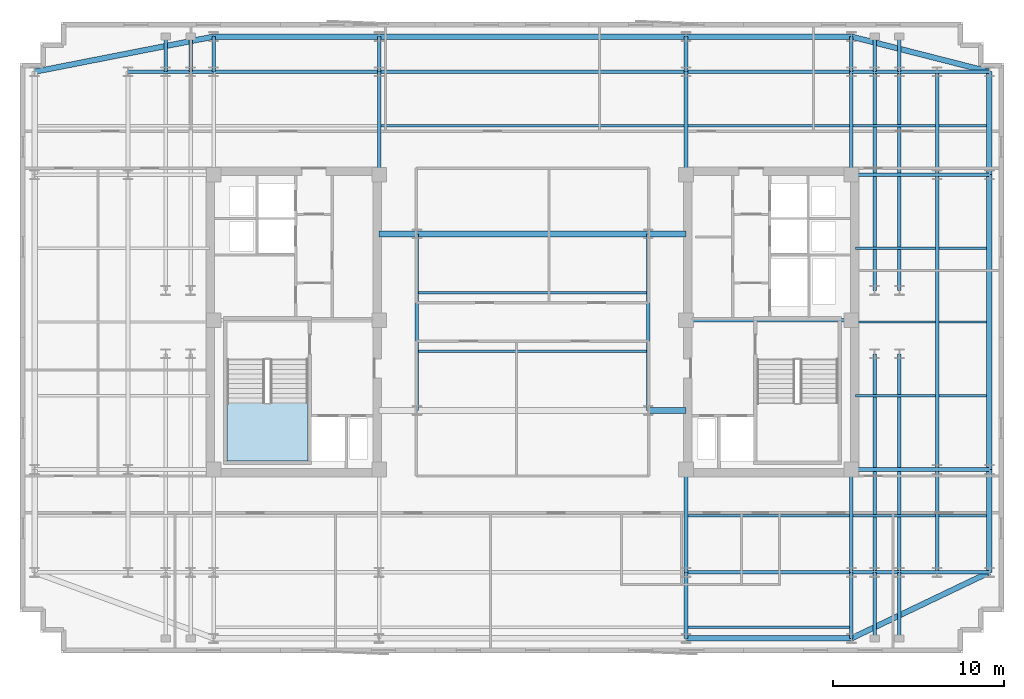
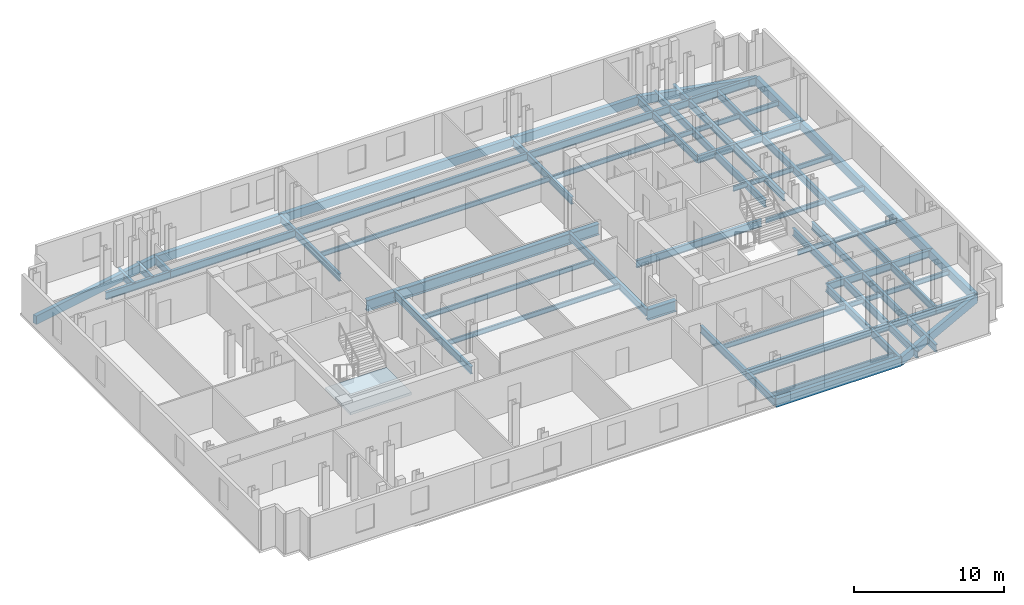
# One storey, part 2 of 9: 70 beams, 1 slab, 1 element without a shape of its own.
"""IFC4 building model written with IfcOpenShell, lengths in metres."""

from ifc_helpers import new_model, si_unit, direction, frame, origin, origin_2d, place, context, subcontext, project, spatial, polyline, rectangle, i_section, outline, extrude, material, layer, layer_set, material_profile, profile_set, type_object, element, aggregate, save


model = new_model("IFC4")

# Units and contexts
model_context = context("Model", 3, precision=1e-05, world=origin(), true_north=direction((0.0, 1.0)))
body_context = subcontext(model_context, "Body", "Model", "MODEL_VIEW")
ifc_project = project(units=[si_unit("LENGTHUNIT", "METRE"), si_unit("AREAUNIT", "SQUARE_METRE"), si_unit("VOLUMEUNIT", "CUBIC_METRE"), si_unit("PLANEANGLEUNIT", "RADIAN"), si_unit("MASSUNIT", "GRAM", prefix="KILO")], contexts=[model_context])

# Site, building, storey
site_placement = place(None, origin())
site = spatial("IfcSite", under=ifc_project, at=site_placement, CompositionType="ELEMENT")
building_placement = place(site_placement, origin())
building = spatial("IfcBuilding", under=site, at=building_placement, Name="Velakula Bourse", CompositionType="ELEMENT")
storey_placement = place(building_placement, frame((0.0, 0.0, 222.300048828125)))
storey = spatial("IfcBuildingStorey", under=building, at=storey_placement, Name="L60", CompositionType="ELEMENT", Elevation=222.300048828125)

# Beams
ifc_material_1 = material(Name="Steel IS 2062 Grade 350 (E350)", Category="steel")
ifc_material_profile_1 = material_profile(ifc_material_1, i_section(OverallWidth=0.2099609375, OverallDepth=0.60009765625, WebThickness=0.011962890625, FlangeThickness=0.020751953125, at=origin_2d()), Name="Steel IS 2062 Grade 350 (E350)")
ifc_profile_set_1 = profile_set([ifc_material_profile_1], Name="Steel IS 2062 Grade 350 (E350)")
beam_type_1 = type_object("IfcBeamType", Name="BM-GRD-600L", PredefinedType="BEAM", material=ifc_profile_set_1)
beam_1_placement = place(storey_placement, frame((8.949951171875, 0.10009765625, -0.47998046875), z_axis=(1.0, 0.0, 0.0), x_axis=(0.0, 1.0, 0.0)))
element("IfcBeam", 1, at=beam_1_placement, inside=storey, type_object=beam_type_1, Name="L60 Primary Backbone Girder CRE-M", PredefinedType="BEAM", context=body_context, shape_type="SweptSolid", body=[
    extrude(i_section(OverallWidth=0.2099609375, OverallDepth=0.60009765625, WebThickness=0.011962890625, FlangeThickness=0.020751953125, at=origin_2d()), origin(), (0.0, 0.0, 1.0), 9.650146484375),
])
for number, where, z_axis, x_axis, name in (
    (2, (-6.75, -5.14990234375, -0.47998046875), (0.0, 1.0, 0.0), (-1.0, 0.0, 0.0), "L60 Primary Backbone Girder SPN-W"),
    (3, (6.75, -5.14990234375, -0.47998046875), (0.0, 1.0, 0.0), (-1.0, 0.0, 0.0), "L60 Primary Backbone Girder SPN-E"),
):
    element("IfcBeam", number, at=place(storey_placement, frame(where, z_axis=z_axis, x_axis=x_axis)), inside=storey, type_object=beam_type_1, Name=name, PredefinedType="BEAM", context=body_context, shape_type="SweptSolid", body=[
        extrude(i_section(OverallWidth=0.2099609375, OverallDepth=0.60009765625, WebThickness=0.011962890625, FlangeThickness=0.020751953125, at=origin_2d()), origin(), (0.0, 0.0, 1.0), 10.2998046875),
    ])
for number, where, z_axis, x_axis, name in (
    (4, (-8.949951171875, 8.60009765625, -0.47998046875), (0.0, 1.0, 0.0), (-1.0, 0.0, 0.0), "L60 Fulcrum Grid Girder FLC-WCN"),
    (5, (8.949951171875, -14.60009765625, -0.47998046875), (0.0, 1.0, 0.0), (-1.0, 0.0, 0.0), "L60 Fulcrum Grid Girder FLC-ECS"),
    (6, (8.949951171875, 8.60009765625, -0.47998046875), (0.0, 1.0, 0.0), (-1.0, 0.0, 0.0), "L60 Fulcrum Grid Girder FLC-ECN"),
    (7, (18.60009765625, -14.60009765625, -0.47998046875), (0.0, 1.0, 0.0), (-1.0, 0.0, 0.0), "L60 Fulcrum Grid Girder FLC-ES"),
    (8, (18.60009765625, 8.60009765625, -0.47998046875), (0.0, 1.0, 0.0), (-1.0, 0.0, 0.0), "L60 Fulcrum Grid Girder FLC-EN"),
):
    element("IfcBeam", number, at=place(storey_placement, frame(where, z_axis=z_axis, x_axis=x_axis)), inside=storey, type_object=beam_type_1, Name=name, PredefinedType="BEAM", context=body_context, shape_type="SweptSolid", body=[
        extrude(i_section(OverallWidth=0.2099609375, OverallDepth=0.60009765625, WebThickness=0.011962890625, FlangeThickness=0.020751953125, at=origin_2d()), origin(), (0.0, 0.0, 1.0), 6.0),
    ])
for number, where, z_axis, x_axis, name in (
    (9, (8.949951171875, -14.60009765625, -0.47998046875), (1.0, 0.0, 0.0), (0.0, 1.0, 0.0), "L60 Fulcrum Grid Girder FLC-S3"),
    (10, (-18.60009765625, 14.60009765625, -0.47998046875), (1.0, 0.0, 0.0), (0.0, 1.0, 0.0), "L60 Fulcrum Grid Girder FLC-N1"),
):
    element("IfcBeam", number, at=place(storey_placement, frame(where, z_axis=z_axis, x_axis=x_axis)), inside=storey, type_object=beam_type_1, Name=name, PredefinedType="BEAM", context=body_context, shape_type="SweptSolid", body=[
        extrude(i_section(OverallWidth=0.2099609375, OverallDepth=0.60009765625, WebThickness=0.011962890625, FlangeThickness=0.020751953125, at=origin_2d()), origin(), (0.0, 0.0, 1.0), 9.650146484375),
    ])
beam_2_placement = place(storey_placement, frame((-8.949951171875, 14.60009765625, -0.47998046875), z_axis=(1.0, 0.0, 0.0), x_axis=(0.0, 1.0, 0.0)))
element("IfcBeam", 11, at=beam_2_placement, inside=storey, type_object=beam_type_1, Name="L60 Fulcrum Grid Girder FLC-N2", PredefinedType="BEAM", context=body_context, shape_type="SweptSolid", body=[
    extrude(i_section(OverallWidth=0.2099609375, OverallDepth=0.60009765625, WebThickness=0.011962890625, FlangeThickness=0.020751953125, at=origin_2d()), origin(), (0.0, 0.0, 1.0), 17.89990234375),
])
beam_3_placement = place(storey_placement, frame((8.949951171875, 14.60009765625, -0.47998046875), z_axis=(1.0, 0.0, 0.0), x_axis=(0.0, 1.0, 0.0)))
element("IfcBeam", 12, at=beam_3_placement, inside=storey, type_object=beam_type_1, Name="L60 Fulcrum Grid Girder FLC-N3", PredefinedType="BEAM", context=body_context, shape_type="SweptSolid", body=[
    extrude(i_section(OverallWidth=0.2099609375, OverallDepth=0.60009765625, WebThickness=0.011962890625, FlangeThickness=0.020751953125, at=origin_2d()), origin(), (0.0, 0.0, 1.0), 9.650146484375),
])
for number, where, z_axis, x_axis, name in (
    (13, (19.949951171875, -14.60009765625, -0.47998046875), (0.0, 1.0, 0.0), (-1.0, 0.0, 0.0), "L60 Fulcrum Grid Girder FLC-PSE1"),
    (14, (19.949951171875, 1.85009765625, -0.47998046875), (0.0, 1.0, 0.0), (-1.0, 0.0, 0.0), "L60 Fulcrum Grid Girder FLC-PNE1"),
    (15, (21.39990234375, -14.60009765625, -0.47998046875), (0.0, 1.0, 0.0), (-1.0, 0.0, 0.0), "L60 Fulcrum Grid Girder FLC-PSE2"),
    (16, (21.39990234375, 1.85009765625, -0.47998046875), (0.0, 1.0, 0.0), (-1.0, 0.0, 0.0), "L60 Fulcrum Grid Girder FLC-PNE2"),
):
    element("IfcBeam", number, at=place(storey_placement, frame(where, z_axis=z_axis, x_axis=x_axis)), inside=storey, type_object=beam_type_1, Name=name, PredefinedType="BEAM", context=body_context, shape_type="SweptSolid", body=[
        extrude(i_section(OverallWidth=0.2099609375, OverallDepth=0.60009765625, WebThickness=0.011962890625, FlangeThickness=0.020751953125, at=origin_2d()), origin(), (0.0, 0.0, 1.0), 12.75),
    ])
for number, where, z_axis, x_axis, name in (
    (17, (-23.60009765625, 14.60009765625, -0.47998046875), (1.0, 0.0, 0.0), (0.0, 1.0, 0.0), "L60 Fulcrum Grid Girder MWG-WN2"),
    (18, (18.60009765625, -14.60009765625, -0.47998046875), (1.0, 0.0, 0.0), (0.0, 1.0, 0.0), "L60 Fulcrum Grid Girder MWG-ES1"),
    (19, (18.60009765625, -8.60009765625, -0.47998046875), (1.0, 0.0, 0.0), (0.0, 1.0, 0.0), "L60 Fulcrum Grid Girder MWG-ES2"),
    (20, (18.60009765625, 8.60009765625, -0.47998046875), (1.0, 0.0, 0.0), (0.0, 1.0, 0.0), "L60 Fulcrum Grid Girder MWG-EN1"),
    (21, (18.60009765625, 14.60009765625, -0.47998046875), (1.0, 0.0, 0.0), (0.0, 1.0, 0.0), "L60 Fulcrum Grid Girder MWG-EN2"),
):
    element("IfcBeam", number, at=place(storey_placement, frame(where, z_axis=z_axis, x_axis=x_axis)), inside=storey, type_object=beam_type_1, Name=name, PredefinedType="BEAM", context=body_context, shape_type="SweptSolid", body=[
        extrude(i_section(OverallWidth=0.2099609375, OverallDepth=0.60009765625, WebThickness=0.011962890625, FlangeThickness=0.020751953125, at=origin_2d()), origin(), (0.0, 0.0, 1.0), 5.0),
    ])
beam_4_placement = place(storey_placement, frame((23.60009765625, -14.60009765625, -0.47998046875), z_axis=(0.0, 1.0, 0.0), x_axis=(-1.0, 0.0, 0.0)))
element("IfcBeam", 22, at=beam_4_placement, inside=storey, type_object=beam_type_1, Name="L60 Fulcrum Grid Girder MWG-ENS1", PredefinedType="BEAM", context=body_context, shape_type="SweptSolid", body=[
    extrude(i_section(OverallWidth=0.2099609375, OverallDepth=0.60009765625, WebThickness=0.011962890625, FlangeThickness=0.020751953125, at=origin_2d()), origin(), (0.0, 0.0, 1.0), 6.0),
])
beam_5_placement = place(storey_placement, frame((23.60009765625, -8.60009765625, -0.47998046875), z_axis=(0.0, 1.0, 0.0), x_axis=(-1.0, 0.0, 0.0)))
element("IfcBeam", 23, at=beam_5_placement, inside=storey, type_object=beam_type_1, Name="L60 Fulcrum Grid Girder MWG-ENS2", PredefinedType="BEAM", context=body_context, shape_type="SweptSolid", body=[
    extrude(i_section(OverallWidth=0.2099609375, OverallDepth=0.60009765625, WebThickness=0.011962890625, FlangeThickness=0.020751953125, at=origin_2d()), origin(), (0.0, 0.0, 1.0), 17.2001953125),
])
beam_6_placement = place(storey_placement, frame((23.60009765625, 8.60009765625, -0.47998046875), z_axis=(0.0, 1.0, 0.0), x_axis=(-1.0, 0.0, 0.0)))
element("IfcBeam", 24, at=beam_6_placement, inside=storey, type_object=beam_type_1, Name="L60 Fulcrum Grid Girder MWG-ENS3", PredefinedType="BEAM", context=body_context, shape_type="SweptSolid", body=[
    extrude(i_section(OverallWidth=0.2099609375, OverallDepth=0.60009765625, WebThickness=0.011962890625, FlangeThickness=0.020751953125, at=origin_2d()), origin(), (0.0, 0.0, 1.0), 6.0),
])
for number, where, z_axis, x_axis, name in (
    (25, (8.949951171875, -14.60009765625, -0.47998046875), (0.0, -1.0, 0.0), (1.0, 0.0, 0.0), "L60 Perimeter Tie Girder S3"),
    (26, (18.60009765625, -14.60009765625, -0.47998046875), (0.0, -1.0, 0.0), (1.0, 0.0, 0.0), "L60 Perimeter Tie Girder S4"),
):
    element("IfcBeam", number, at=place(storey_placement, frame(where, z_axis=z_axis, x_axis=x_axis)), inside=storey, type_object=beam_type_1, Name=name, PredefinedType="BEAM", context=body_context, shape_type="SweptSolid", body=[
        extrude(i_section(OverallWidth=0.2099609375, OverallDepth=0.60009765625, WebThickness=0.011962890625, FlangeThickness=0.020751953125, at=origin_2d()), origin(), (0.0, 0.0, 1.0), 3.849853515625),
    ])
for number, where, z_axis, x_axis, name in (
    (27, (-18.60009765625, 14.60009765625, -0.47998046875), (0.0, 1.0, 0.0), (-1.0, 0.0, 0.0), "L60 Perimeter Tie Girder N1"),
    (28, (-8.949951171875, 14.60009765625, -0.47998046875), (0.0, 1.0, 0.0), (-1.0, 0.0, 0.0), "L60 Perimeter Tie Girder N2"),
    (29, (8.949951171875, 14.60009765625, -0.47998046875), (0.0, 1.0, 0.0), (-1.0, 0.0, 0.0), "L60 Perimeter Tie Girder N3"),
    (30, (18.60009765625, 14.60009765625, -0.47998046875), (0.0, 1.0, 0.0), (-1.0, 0.0, 0.0), "L60 Perimeter Tie Girder N4"),
):
    element("IfcBeam", number, at=place(storey_placement, frame(where, z_axis=z_axis, x_axis=x_axis)), inside=storey, type_object=beam_type_1, Name=name, PredefinedType="BEAM", context=body_context, shape_type="SweptSolid", body=[
        extrude(i_section(OverallWidth=0.2099609375, OverallDepth=0.60009765625, WebThickness=0.011962890625, FlangeThickness=0.020751953125, at=origin_2d()), origin(), (0.0, 0.0, 1.0), 2.0498046875),
    ])
for number, where, z_axis, x_axis, name in (
    (31, (23.60009765625, -14.60009765625, -0.47998046875), (1.0, 0.0, 0.0), (0.0, 1.0, 0.0), "L60 Perimeter Tie Girder E1"),
    (32, (23.60009765625, -8.60009765625, -0.47998046875), (1.0, 0.0, 0.0), (0.0, 1.0, 0.0), "L60 Perimeter Tie Girder E2"),
    (33, (23.60009765625, 8.60009765625, -0.47998046875), (1.0, 0.0, 0.0), (0.0, 1.0, 0.0), "L60 Perimeter Tie Girder E3"),
    (34, (23.60009765625, 14.60009765625, -0.47998046875), (1.0, 0.0, 0.0), (0.0, 1.0, 0.0), "L60 Perimeter Tie Girder E4"),
):
    element("IfcBeam", number, at=place(storey_placement, frame(where, z_axis=z_axis, x_axis=x_axis)), inside=storey, type_object=beam_type_1, Name=name, PredefinedType="BEAM", context=body_context, shape_type="SweptSolid", body=[
        extrude(i_section(OverallWidth=0.2099609375, OverallDepth=0.60009765625, WebThickness=0.011962890625, FlangeThickness=0.020751953125, at=origin_2d()), origin(), (0.0, 0.0, 1.0), 3.0498046875),
    ])
for number, where, z_axis, x_axis, name in (
    (35, (19.949951171875, -14.60009765625, -0.47998046875), (0.0, -1.0, 0.0), (1.0, 0.0, 0.0), "L60 Perimeter Tie Girder P03"),
    (36, (21.39990234375, -14.60009765625, -0.47998046875), (0.0, -1.0, 0.0), (1.0, 0.0, 0.0), "L60 Perimeter Tie Girder P04"),
):
    element("IfcBeam", number, at=place(storey_placement, frame(where, z_axis=z_axis, x_axis=x_axis)), inside=storey, type_object=beam_type_1, Name=name, PredefinedType="BEAM", context=body_context, shape_type="SweptSolid", body=[
        extrude(i_section(OverallWidth=0.2099609375, OverallDepth=0.60009765625, WebThickness=0.011962890625, FlangeThickness=0.020751953125, at=origin_2d()), origin(), (0.0, 0.0, 1.0), 3.849853515625),
    ])
for number, where, z_axis, x_axis, name in (
    (37, (-21.39990234375, 14.60009765625, -0.47998046875), (0.0, 1.0, 0.0), (-1.0, 0.0, 0.0), "L60 Perimeter Tie Girder P05"),
    (38, (-19.949951171875, 14.60009765625, -0.47998046875), (0.0, 1.0, 0.0), (-1.0, 0.0, 0.0), "L60 Perimeter Tie Girder P06"),
    (39, (19.949951171875, 14.60009765625, -0.47998046875), (0.0, 1.0, 0.0), (-1.0, 0.0, 0.0), "L60 Perimeter Tie Girder P07"),
    (40, (21.39990234375, 14.60009765625, -0.47998046875), (0.0, 1.0, 0.0), (-1.0, 0.0, 0.0), "L60 Perimeter Tie Girder P08"),
):
    element("IfcBeam", number, at=place(storey_placement, frame(where, z_axis=z_axis, x_axis=x_axis)), inside=storey, type_object=beam_type_1, Name=name, PredefinedType="BEAM", context=body_context, shape_type="SweptSolid", body=[
        extrude(i_section(OverallWidth=0.2099609375, OverallDepth=0.60009765625, WebThickness=0.011962890625, FlangeThickness=0.020751953125, at=origin_2d()), origin(), (0.0, 0.0, 1.0), 2.0498046875),
    ])
ifc_material_profile_2 = material_profile(ifc_material_1, i_section(OverallWidth=0.35009765625, OverallDepth=0.89990234375, WebThickness=0.02001953125, FlangeThickness=0.031982421875, at=origin_2d()), Name="Steel IS 2062 Grade 350 (E350)")
ifc_profile_set_2 = profile_set([ifc_material_profile_2], Name="Steel IS 2062 Grade 350 (E350)")
beam_type_2 = type_object("IfcBeamType", Name="BM-LNK-900", PredefinedType="BEAM", material=ifc_profile_set_2)
for number, where, z_axis, x_axis, name in (
    (41, (6.75, -5.14990234375, -0.630126953125), (1.0, 0.0, 0.0), (0.0, 1.0, 0.0), "L60 Primary Backbone Girder LNK-S3"),
    (42, (-8.949951171875, 5.14990234375, -0.630126953125), (1.0, 0.0, 0.0), (0.0, 1.0, 0.0), "L60 Primary Backbone Girder LNK-N1"),
):
    element("IfcBeam", number, at=place(storey_placement, frame(where, z_axis=z_axis, x_axis=x_axis)), inside=storey, type_object=beam_type_2, Name=name, PredefinedType="BEAM", context=body_context, shape_type="SweptSolid", body=[
        extrude(i_section(OverallWidth=0.35009765625, OverallDepth=0.89990234375, WebThickness=0.02001953125, FlangeThickness=0.031982421875, at=origin_2d()), origin(), (0.0, 0.0, 1.0), 2.199951171875),
    ])
beam_7_placement = place(storey_placement, frame((-6.75, 5.14990234375, -0.630126953125), z_axis=(1.0, 0.0, 0.0), x_axis=(0.0, 1.0, 0.0)))
element("IfcBeam", 43, at=beam_7_placement, inside=storey, type_object=beam_type_2, Name="L60 Primary Backbone Girder LNK-N2", PredefinedType="BEAM", context=body_context, shape_type="SweptSolid", body=[
    extrude(i_section(OverallWidth=0.35009765625, OverallDepth=0.89990234375, WebThickness=0.02001953125, FlangeThickness=0.031982421875, at=origin_2d()), origin(), (0.0, 0.0, 1.0), 13.5),
])
beam_8_placement = place(storey_placement, frame((6.75, 5.14990234375, -0.630126953125), z_axis=(1.0, 0.0, 0.0), x_axis=(0.0, 1.0, 0.0)))
element("IfcBeam", 44, at=beam_8_placement, inside=storey, type_object=beam_type_2, Name="L60 Primary Backbone Girder LNK-N3", PredefinedType="BEAM", context=body_context, shape_type="SweptSolid", body=[
    extrude(i_section(OverallWidth=0.35009765625, OverallDepth=0.89990234375, WebThickness=0.02001953125, FlangeThickness=0.031982421875, at=origin_2d()), origin(), (0.0, 0.0, 1.0), 2.199951171875),
])
ifc_material_profile_3 = material_profile(ifc_material_1, i_section(OverallWidth=0.139892578125, OverallDepth=0.39990234375, WebThickness=0.0087890625, FlangeThickness=0.01611328125, at=origin_2d()), Name="Steel IS 2062 Grade 350 (E350)")
ifc_profile_set_3 = profile_set([ifc_material_profile_3], Name="Steel IS 2062 Grade 350 (E350)")
beam_type_3 = type_object("IfcBeamType", Name="JST-TWR-400", PredefinedType="JOIST", material=ifc_profile_set_3)
for number, where, z_axis, x_axis, name in (
    (45, (9.054931640625, -17.800048828125, -0.380126953125), (1.0, 0.0, 0.0), (0.0, 1.0, 0.0), "L60 Trading Floor Composite Joist 03"),
    (46, (9.054931640625, -11.300048828125, -0.380126953125), (1.0, 0.0, 0.0), (0.0, 1.0, 0.0), "L60 Trading Floor Composite Joist 08"),
):
    element("IfcBeam", number, at=place(storey_placement, frame(where, z_axis=z_axis, x_axis=x_axis)), inside=storey, type_object=beam_type_3, Name=name, PredefinedType="JOIST", context=body_context, shape_type="SweptSolid", body=[
        extrude(i_section(OverallWidth=0.139892578125, OverallDepth=0.39990234375, WebThickness=0.0087890625, FlangeThickness=0.01611328125, at=origin_2d()), origin(), (0.0, 0.0, 1.0), 9.440185546875),
    ])
beam_9_placement = place(storey_placement, frame((18.705078125, -11.300048828125, -0.380126953125), z_axis=(1.0, 0.0, 0.0), x_axis=(0.0, 1.0, 0.0)))
element("IfcBeam", 47, at=beam_9_placement, inside=storey, type_object=beam_type_3, Name="L60 Trading Floor Composite Joist 09", PredefinedType="JOIST", context=body_context, shape_type="SweptSolid", body=[
    extrude(i_section(OverallWidth=0.139892578125, OverallDepth=0.39990234375, WebThickness=0.0087890625, FlangeThickness=0.01611328125, at=origin_2d()), origin(), (0.0, 0.0, 1.0), 4.7900390625),
])
beam_10_placement = place(storey_placement, frame((23.705078125, -11.300048828125, -0.380126953125), z_axis=(1.0, 0.0, 0.0), x_axis=(0.0, 1.0, 0.0)))
element("IfcBeam", 48, at=beam_10_placement, inside=storey, type_object=beam_type_3, Name="L60 Trading Floor Composite Joist 10", PredefinedType="JOIST", context=body_context, shape_type="SweptSolid", body=[
    extrude(i_section(OverallWidth=0.139892578125, OverallDepth=0.39990234375, WebThickness=0.0087890625, FlangeThickness=0.01611328125, at=origin_2d()), origin(), (0.0, 0.0, 1.0), 2.784912109375),
])
beam_11_placement = place(storey_placement, frame((-8.844970703125, 11.449951171875, -0.380126953125), z_axis=(1.0, 0.0, 0.0), x_axis=(0.0, 1.0, 0.0)))
element("IfcBeam", 49, at=beam_11_placement, inside=storey, type_object=beam_type_3, Name="L60 Trading Floor Composite Joist 14", PredefinedType="JOIST", context=body_context, shape_type="SweptSolid", body=[
    extrude(i_section(OverallWidth=0.139892578125, OverallDepth=0.39990234375, WebThickness=0.0087890625, FlangeThickness=0.01611328125, at=origin_2d()), origin(), (0.0, 0.0, 1.0), 17.68994140625),
])
beam_12_placement = place(storey_placement, frame((9.054931640625, 11.449951171875, -0.380126953125), z_axis=(1.0, 0.0, 0.0), x_axis=(0.0, 1.0, 0.0)))
element("IfcBeam", 50, at=beam_12_placement, inside=storey, type_object=beam_type_3, Name="L60 Trading Floor Composite Joist 15", PredefinedType="JOIST", context=body_context, shape_type="SweptSolid", body=[
    extrude(i_section(OverallWidth=0.139892578125, OverallDepth=0.39990234375, WebThickness=0.0087890625, FlangeThickness=0.01611328125, at=origin_2d()), origin(), (0.0, 0.0, 1.0), 9.440185546875),
])
beam_13_placement = place(storey_placement, frame((18.705078125, 11.449951171875, -0.380126953125), z_axis=(1.0, 0.0, 0.0), x_axis=(0.0, 1.0, 0.0)))
element("IfcBeam", 51, at=beam_13_placement, inside=storey, type_object=beam_type_3, Name="L60 Trading Floor Composite Joist 16", PredefinedType="JOIST", context=body_context, shape_type="SweptSolid", body=[
    extrude(i_section(OverallWidth=0.139892578125, OverallDepth=0.39990234375, WebThickness=0.0087890625, FlangeThickness=0.01611328125, at=origin_2d()), origin(), (0.0, 0.0, 1.0), 4.7900390625),
])
beam_14_placement = place(storey_placement, frame((23.705078125, 11.449951171875, -0.380126953125), z_axis=(1.0, 0.0, 0.0), x_axis=(0.0, 1.0, 0.0)))
element("IfcBeam", 52, at=beam_14_placement, inside=storey, type_object=beam_type_3, Name="L60 Trading Floor Composite Joist 17", PredefinedType="JOIST", context=body_context, shape_type="SweptSolid", body=[
    extrude(i_section(OverallWidth=0.139892578125, OverallDepth=0.39990234375, WebThickness=0.0087890625, FlangeThickness=0.01611328125, at=origin_2d()), origin(), (0.0, 0.0, 1.0), 2.784912109375),
])
for number, where, z_axis, x_axis, name in (
    (53, (-6.64501953125, -1.699951171875, -0.380126953125), (1.0, 0.0, 0.0), (0.0, 1.0, 0.0), "L60 Trading Floor Composite Joist 18"),
    (54, (-6.64501953125, 1.699951171875, -0.380126953125), (1.0, 0.0, 0.0), (0.0, 1.0, 0.0), "L60 Trading Floor Composite Joist 19"),
):
    element("IfcBeam", number, at=place(storey_placement, frame(where, z_axis=z_axis, x_axis=x_axis)), inside=storey, type_object=beam_type_3, Name=name, PredefinedType="JOIST", context=body_context, shape_type="SweptSolid", body=[
        extrude(i_section(OverallWidth=0.139892578125, OverallDepth=0.39990234375, WebThickness=0.0087890625, FlangeThickness=0.01611328125, at=origin_2d()), origin(), (0.0, 0.0, 1.0), 13.2900390625),
    ])
beam_15_placement = place(storey_placement, frame((18.85009765625, -4.300048828125, -0.380126953125), z_axis=(1.0, 0.0, 0.0), x_axis=(0.0, 1.0, 0.0)))
element("IfcBeam", 55, at=beam_15_placement, inside=storey, type_object=beam_type_3, Name="L60 Trading Floor Composite Joist 22", PredefinedType="JOIST", context=body_context, shape_type="SweptSolid", body=[
    extrude(i_section(OverallWidth=0.139892578125, OverallDepth=0.39990234375, WebThickness=0.0087890625, FlangeThickness=0.01611328125, at=origin_2d()), origin(), (0.0, 0.0, 1.0), 4.64501953125),
])
beam_16_placement = place(storey_placement, frame((23.705078125, -4.300048828125, -0.380126953125), z_axis=(1.0, 0.0, 0.0), x_axis=(0.0, 1.0, 0.0)))
element("IfcBeam", 56, at=beam_16_placement, inside=storey, type_object=beam_type_3, Name="L60 Trading Floor Composite Joist 23", PredefinedType="JOIST", context=body_context, shape_type="SweptSolid", body=[
    extrude(i_section(OverallWidth=0.139892578125, OverallDepth=0.39990234375, WebThickness=0.0087890625, FlangeThickness=0.01611328125, at=origin_2d()), origin(), (0.0, 0.0, 1.0), 2.784912109375),
])
beam_17_placement = place(storey_placement, frame((18.85009765625, 0.0, -0.380126953125), z_axis=(1.0, 0.0, 0.0), x_axis=(0.0, 1.0, 0.0)))
element("IfcBeam", 57, at=beam_17_placement, inside=storey, type_object=beam_type_3, Name="L60 Trading Floor Composite Joist 26", PredefinedType="JOIST", context=body_context, shape_type="SweptSolid", body=[
    extrude(i_section(OverallWidth=0.139892578125, OverallDepth=0.39990234375, WebThickness=0.0087890625, FlangeThickness=0.01611328125, at=origin_2d()), origin(), (0.0, 0.0, 1.0), 4.64501953125),
])
beam_18_placement = place(storey_placement, frame((23.705078125, 0.0, -0.380126953125), z_axis=(1.0, 0.0, 0.0), x_axis=(0.0, 1.0, 0.0)))
element("IfcBeam", 58, at=beam_18_placement, inside=storey, type_object=beam_type_3, Name="L60 Trading Floor Composite Joist 27", PredefinedType="JOIST", context=body_context, shape_type="SweptSolid", body=[
    extrude(i_section(OverallWidth=0.139892578125, OverallDepth=0.39990234375, WebThickness=0.0087890625, FlangeThickness=0.01611328125, at=origin_2d()), origin(), (0.0, 0.0, 1.0), 2.784912109375),
])
beam_19_placement = place(storey_placement, frame((18.85009765625, 4.300048828125, -0.380126953125), z_axis=(1.0, 0.0, 0.0), x_axis=(0.0, 1.0, 0.0)))
element("IfcBeam", 59, at=beam_19_placement, inside=storey, type_object=beam_type_3, Name="L60 Trading Floor Composite Joist 30", PredefinedType="JOIST", context=body_context, shape_type="SweptSolid", body=[
    extrude(i_section(OverallWidth=0.139892578125, OverallDepth=0.39990234375, WebThickness=0.0087890625, FlangeThickness=0.01611328125, at=origin_2d()), origin(), (0.0, 0.0, 1.0), 4.64501953125),
])
beam_20_placement = place(storey_placement, frame((23.705078125, 4.300048828125, -0.380126953125), z_axis=(1.0, 0.0, 0.0), x_axis=(0.0, 1.0, 0.0)))
element("IfcBeam", 60, at=beam_20_placement, inside=storey, type_object=beam_type_3, Name="L60 Trading Floor Composite Joist 31", PredefinedType="JOIST", context=body_context, shape_type="SweptSolid", body=[
    extrude(i_section(OverallWidth=0.139892578125, OverallDepth=0.39990234375, WebThickness=0.0087890625, FlangeThickness=0.01611328125, at=origin_2d()), origin(), (0.0, 0.0, 1.0), 2.784912109375),
])
ifc_material_2 = material(Name="Precast concrete M45 (fck 45 MPa)", Category="concrete")
ifc_material_profile_4 = material_profile(ifc_material_2, rectangle(XDim=0.320068359375, YDim=0.679931640625, at=origin_2d()), Name="Precast concrete M45 (fck 45 MPa)")
ifc_profile_set_4 = profile_set([ifc_material_profile_4], Name="Precast concrete M45 (fck 45 MPa)")
beam_type_4 = type_object("IfcBeamType", Name="SPN-BRICK-680", PredefinedType="SPANDREL", material=ifc_profile_set_4)
for number, where, z_axis, x_axis, name in (
    (61, (8.949951171875, -18.449951171875, -0.52001953125), (1.0, 0.0, 0.0), (0.0, 1.0, 0.0), "L60 Brick-Faced Precast Spandrel S3-S4"),
    (62, (-18.60009765625, 16.64990234375, -0.52001953125), (1.0, 0.0, 0.0), (0.0, 1.0, 0.0), "L60 Brick-Faced Precast Spandrel N1-N2"),
):
    element("IfcBeam", number, at=place(storey_placement, frame(where, z_axis=z_axis, x_axis=x_axis)), inside=storey, type_object=beam_type_4, Name=name, PredefinedType="SPANDREL", context=body_context, shape_type="SweptSolid", body=[
        extrude(rectangle(XDim=0.320068359375, YDim=0.679931640625, at=origin_2d()), origin(), (0.0, 0.0, 1.0), 9.650146484375),
    ])
beam_21_placement = place(storey_placement, frame((-8.949951171875, 16.64990234375, -0.52001953125), z_axis=(1.0, 0.0, 0.0), x_axis=(0.0, 1.0, 0.0)))
element("IfcBeam", 63, at=beam_21_placement, inside=storey, type_object=beam_type_4, Name="L60 Brick-Faced Precast Spandrel N2-N3", PredefinedType="SPANDREL", context=body_context, shape_type="SweptSolid", body=[
    extrude(rectangle(XDim=0.320068359375, YDim=0.679931640625, at=origin_2d()), origin(), (0.0, 0.0, 1.0), 17.89990234375),
])
beam_22_placement = place(storey_placement, frame((8.949951171875, 16.64990234375, -0.52001953125), z_axis=(1.0, 0.0, 0.0), x_axis=(0.0, 1.0, 0.0)))
element("IfcBeam", 64, at=beam_22_placement, inside=storey, type_object=beam_type_4, Name="L60 Brick-Faced Precast Spandrel N3-N4", PredefinedType="SPANDREL", context=body_context, shape_type="SweptSolid", body=[
    extrude(rectangle(XDim=0.320068359375, YDim=0.679931640625, at=origin_2d()), origin(), (0.0, 0.0, 1.0), 9.650146484375),
])
beam_23_placement = place(storey_placement, frame((26.64990234375, -14.60009765625, -0.52001953125), z_axis=(0.0, 1.0, 0.0), x_axis=(-1.0, 0.0, 0.0)))
element("IfcBeam", 65, at=beam_23_placement, inside=storey, type_object=beam_type_4, Name="L60 Brick-Faced Precast Spandrel E1-E2", PredefinedType="SPANDREL", context=body_context, shape_type="SweptSolid", body=[
    extrude(rectangle(XDim=0.320068359375, YDim=0.679931640625, at=origin_2d()), origin(), (0.0, 0.0, 1.0), 6.0),
])
beam_24_placement = place(storey_placement, frame((26.64990234375, -8.60009765625, -0.52001953125), z_axis=(0.0, 1.0, 0.0), x_axis=(-1.0, 0.0, 0.0)))
element("IfcBeam", 66, at=beam_24_placement, inside=storey, type_object=beam_type_4, Name="L60 Brick-Faced Precast Spandrel E2-E3", PredefinedType="SPANDREL", context=body_context, shape_type="SweptSolid", body=[
    extrude(rectangle(XDim=0.320068359375, YDim=0.679931640625, at=origin_2d()), origin(), (0.0, 0.0, 1.0), 17.2001953125),
])
beam_25_placement = place(storey_placement, frame((26.64990234375, 8.60009765625, -0.52001953125), z_axis=(0.0, 1.0, 0.0), x_axis=(-1.0, 0.0, 0.0)))
element("IfcBeam", 67, at=beam_25_placement, inside=storey, type_object=beam_type_4, Name="L60 Brick-Faced Precast Spandrel E3-E4", PredefinedType="SPANDREL", context=body_context, shape_type="SweptSolid", body=[
    extrude(rectangle(XDim=0.320068359375, YDim=0.679931640625, at=origin_2d()), origin(), (0.0, 0.0, 1.0), 6.0),
])
beam_26_placement = place(storey_placement, frame((18.60009765625, -18.449951171875, -0.52001953125), z_axis=(0.902136536758, 0.431450656561, 0.0), x_axis=(-0.431450656561, 0.902136536758, 0.0)))
element("IfcBeam", 68, at=beam_26_placement, inside=storey, type_object=beam_type_4, Name="L60 Brick-Faced Precast Spandrel S4-E1", PredefinedType="SPANDREL", context=body_context, shape_type="SweptSolid", body=[
    extrude(rectangle(XDim=0.320068359375, YDim=0.679931640625, at=origin_2d()), origin(), (0.0, 0.0, 1.0), 8.923095703125),
])
beam_27_placement = place(storey_placement, frame((26.64990234375, 14.60009765625, -0.52001953125), z_axis=(-0.969075197656, 0.246765599888, 0.0), x_axis=(-0.246765599888, -0.969075197656, 0.0)))
element("IfcBeam", 69, at=beam_27_placement, inside=storey, type_object=beam_type_4, Name="L60 Brick-Faced Precast Spandrel E4-N4", PredefinedType="SPANDREL", context=body_context, shape_type="SweptSolid", body=[
    extrude(rectangle(XDim=0.320068359375, YDim=0.679931640625, at=origin_2d()), origin(), (0.0, 0.0, 1.0), 8.306640625),
])
beam_28_placement = place(storey_placement, frame((-18.60009765625, 16.64990234375, -0.52001953125), z_axis=(-0.981299657048, -0.192486319197, 0.0), x_axis=(0.192486319197, -0.981299657048, 0.0)))
element("IfcBeam", 70, at=beam_28_placement, inside=storey, type_object=beam_type_4, Name="L60 Brick-Faced Precast Spandrel N1-W4", PredefinedType="SPANDREL", context=body_context, shape_type="SweptSolid", body=[
    extrude(rectangle(XDim=0.320068359375, YDim=0.679931640625, at=origin_2d()), origin(), (0.0, 0.0, 1.0), 10.649169921875),
])

# Stair, slab
ifc_material_3 = material(Name="Concrete M45 (fck 45 MPa)", Category="concrete")
stair_type = type_object("IfcStairType", Name="STR-DOG-390", PredefinedType="HALF_TURN_STAIR", material=ifc_material_3)
stair_placement = place(storey_placement, origin())
stair = element("IfcStair", 71, at=stair_placement, inside=storey, type_object=stair_type, Name="L60 West Core Exit Stair ST-W1", PredefinedType="HALF_TURN_STAIR")
ifc_layer = layer(ifc_material_3, 0.199951171875, Name="Concrete M45 (fck 45 MPa)", Category="concrete")
ifc_layer_set = layer_set([ifc_layer], Name="Concrete M45 (fck 45 MPa)")
slab_type = type_object("IfcSlabType", Name="SLB-STAIR-LND-200", PredefinedType="LANDING", material=ifc_layer_set)
slab_placement = place(storey_placement, frame((0.0, 0.0, 1.52490234375)))
slab = element("IfcSlab", 72, at=slab_placement, type_object=slab_type, Name="ST-W1 landing 1", PredefinedType="LANDING", context=body_context, shape_type="SweptSolid", body=[
    extrude(outline(polyline([(-17.820068359375, -4.719970703125), (-17.820068359375, -8.10009765625), (-13.10009765625, -8.10009765625), (-13.10009765625, -4.719970703125), (-17.820068359375, -4.719970703125)])), origin(), (0.0, 0.0, 1.0), 0.199951171875),
])
aggregate(stair, [slab])

save(model, "model.ifc")
